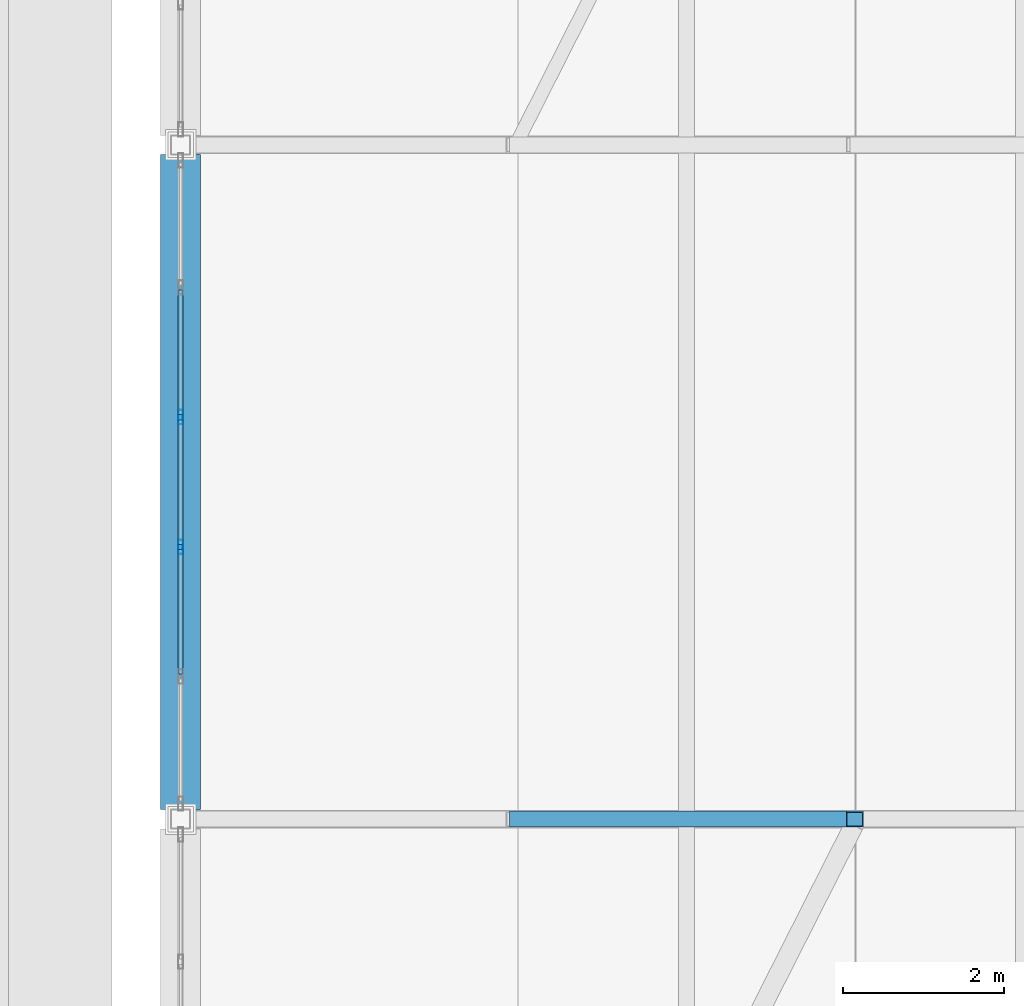
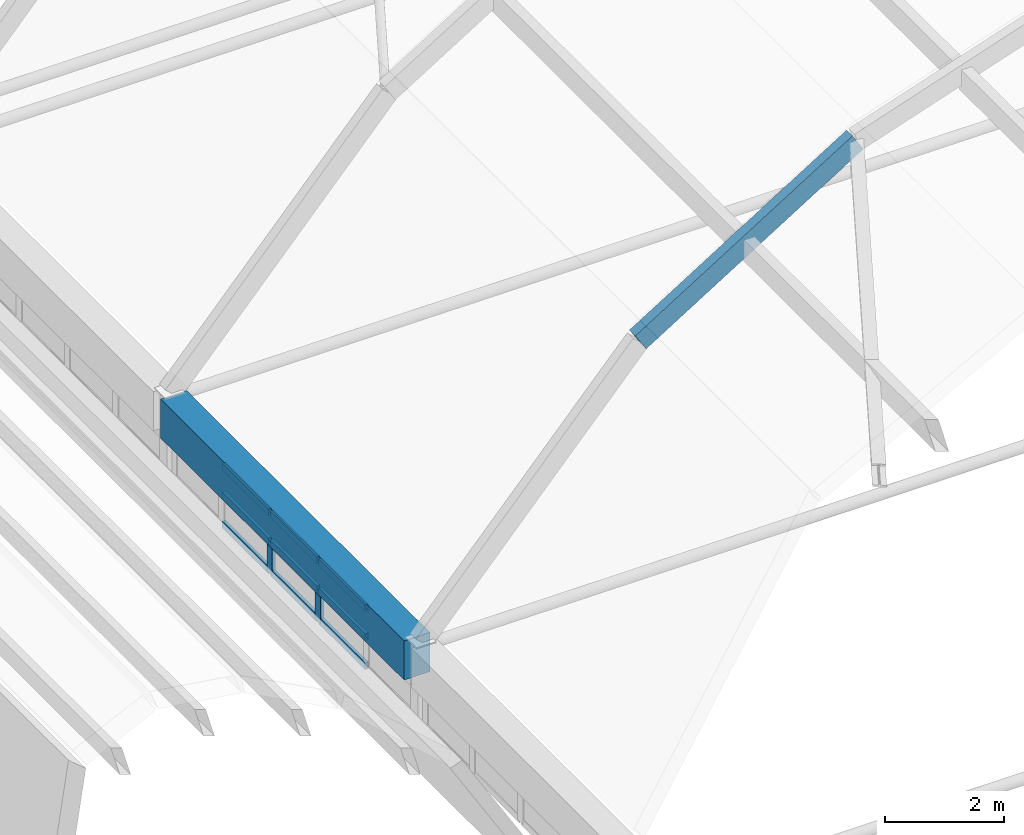
# One storey, part 27 of 114: 11 members, 2 beams, 1 element without a shape of its own.
"""IFC4 building model written with IfcOpenShell, lengths in metres."""

from ifc_helpers import new_model, si_unit, direction, frame, origin, origin_2d, place, context, subcontext, project, spatial, rectangle, hollow_rectangle, extrude, material, layer, layer_set, material_profile, profile_set, type_object, element, aggregate, save


model = new_model("IFC4")

# Units and contexts
model_context = context("Model", 3, precision=1e-05, world=origin(), true_north=direction((0.0, 1.0)))
body_context = subcontext(model_context, "Body", "Model", "MODEL_VIEW")
ifc_project = project(units=[si_unit("LENGTHUNIT", "METRE"), si_unit("AREAUNIT", "SQUARE_METRE"), si_unit("VOLUMEUNIT", "CUBIC_METRE"), si_unit("PLANEANGLEUNIT", "RADIAN"), si_unit("MASSUNIT", "GRAM", prefix="KILO")], contexts=[model_context])

# Site, building, storey
site_placement = place(None, origin())
site = spatial("IfcSite", under=ifc_project, at=site_placement, CompositionType="ELEMENT")
building_placement = place(site_placement, origin())
building = spatial("IfcBuilding", under=site, at=building_placement, Name="Xazarin Passage Department Store", CompositionType="ELEMENT")
storey_placement = place(building_placement, frame((0.0, 0.0, 14.39990234375)))
storey = spatial("IfcBuildingStorey", under=building, at=storey_placement, Name="L03", CompositionType="ELEMENT", Elevation=14.39990234375)

# Curtain wall, members
ifc_material_1 = material(Name="Bronze anodised aluminium", Category="aluminium")
ifc_layer = layer(ifc_material_1, 0.159912109375)
ifc_layer_set = layer_set([ifc_layer], Name="Bronze anodised aluminium")
curtain_wall_type = type_object("IfcCurtainWallType", Name="ARC-CW-ARC1", PredefinedType="NOTDEFINED", material=ifc_layer_set)
curtain_wall_placement = place(storey_placement, origin())
curtain_wall = element("IfcCurtainWall", 1, at=curtain_wall_placement, inside=storey, type_object=curtain_wall_type, Name="L03 V2S Galleria Clerestory Curtain Wall 5W", PredefinedType="NOTDEFINED")
ifc_material_profile_1 = material_profile(ifc_material_1, hollow_rectangle(XDim=0.06494140625, YDim=0.179931640625, WallThickness=0.00390625, at=origin_2d()), Name="ALU 65x180")
ifc_profile_set_1 = profile_set([ifc_material_profile_1], Name="Bronze anodised aluminium")
member_type_1 = type_object("IfcMemberType", Name="ARC-CWM-65x180", PredefinedType="MULLION", material=ifc_profile_set_1)
member_1_placement = place(storey_placement, frame((68.0, 36.991943359375, 0.0), z_axis=(0.0, 0.0, 1.0), x_axis=(-1.0, 0.0, 0.0)))
member_1 = element("IfcMember", 2, at=member_1_placement, type_object=member_type_1, Name="CW3 mullion 3", PredefinedType="MULLION", context=body_context, shape_type="SweptSolid", body=[
    extrude(hollow_rectangle(XDim=0.06494140625, YDim=0.179931640625, WallThickness=0.00390625, at=origin_2d()), origin(), (0.0, 0.0, 1.0), 1.251708984375),
])
member_2_placement = place(storey_placement, frame((68.0, 38.60791015625, 0.0), z_axis=(0.0, 0.0, 1.0), x_axis=(-1.0, 0.0, 0.0)))
member_2 = element("IfcMember", 3, at=member_2_placement, type_object=member_type_1, Name="CW3 mullion 4", PredefinedType="MULLION", context=body_context, shape_type="SweptSolid", body=[
    extrude(hollow_rectangle(XDim=0.06494140625, YDim=0.179931640625, WallThickness=0.00390625, at=origin_2d()), origin(), (0.0, 0.0, 1.0), 1.251708984375),
])
ifc_material_profile_2 = material_profile(ifc_material_1, hollow_rectangle(XDim=0.06494140625, YDim=0.139892578125, WallThickness=0.00390625, at=origin_2d()), Name="ALU 65x140")
ifc_profile_set_2 = profile_set([ifc_material_profile_2], Name="Bronze anodised aluminium")
member_type_2 = type_object("IfcMemberType", Name="ARC-CWT-65x140", PredefinedType="USERDEFINED", material=ifc_profile_set_2)
member_3_placement = place(storey_placement, frame((68.0, 35.408447265625, 0.03271484375), z_axis=(0.0, 1.0, 0.0), x_axis=(-1.0, 0.0, 0.0)))
member_3 = element("IfcMember", 4, at=member_3_placement, type_object=member_type_2, Name="CW3 transom 2.1", ObjectType="TRANSOM", PredefinedType="USERDEFINED", context=body_context, shape_type="SweptSolid", body=[
    extrude(hollow_rectangle(XDim=0.06494140625, YDim=0.139892578125, WallThickness=0.00390625, at=origin_2d()), origin(), (0.0, 0.0, 1.0), 1.551025390625),
])
member_4_placement = place(storey_placement, frame((68.0, 35.408447265625, 0.6259765625), z_axis=(0.0, 1.0, 0.0), x_axis=(-1.0, 0.0, 0.0)))
member_4 = element("IfcMember", 5, at=member_4_placement, type_object=member_type_2, Name="CW3 transom 2.2", ObjectType="TRANSOM", PredefinedType="USERDEFINED", context=body_context, shape_type="SweptSolid", body=[
    extrude(hollow_rectangle(XDim=0.06494140625, YDim=0.139892578125, WallThickness=0.00390625, at=origin_2d()), origin(), (0.0, 0.0, 1.0), 1.551025390625),
])
member_5_placement = place(storey_placement, frame((68.0, 35.408447265625, 1.21923828125), z_axis=(0.0, 1.0, 0.0), x_axis=(-1.0, 0.0, 0.0)))
member_5 = element("IfcMember", 6, at=member_5_placement, type_object=member_type_2, Name="CW3 transom 2.3", ObjectType="TRANSOM", PredefinedType="USERDEFINED", context=body_context, shape_type="SweptSolid", body=[
    extrude(hollow_rectangle(XDim=0.06494140625, YDim=0.139892578125, WallThickness=0.00390625, at=origin_2d()), origin(), (0.0, 0.0, 1.0), 1.551025390625),
])
member_6_placement = place(storey_placement, frame((68.0, 37.0244140625, 0.03271484375), z_axis=(0.0, 1.0, 0.0), x_axis=(-1.0, 0.0, 0.0)))
member_6 = element("IfcMember", 7, at=member_6_placement, type_object=member_type_2, Name="CW3 transom 3.1", ObjectType="TRANSOM", PredefinedType="USERDEFINED", context=body_context, shape_type="SweptSolid", body=[
    extrude(hollow_rectangle(XDim=0.06494140625, YDim=0.139892578125, WallThickness=0.00390625, at=origin_2d()), origin(), (0.0, 0.0, 1.0), 1.551025390625),
])
member_7_placement = place(storey_placement, frame((68.0, 37.0244140625, 0.6259765625), z_axis=(0.0, 1.0, 0.0), x_axis=(-1.0, 0.0, 0.0)))
member_7 = element("IfcMember", 8, at=member_7_placement, type_object=member_type_2, Name="CW3 transom 3.2", ObjectType="TRANSOM", PredefinedType="USERDEFINED", context=body_context, shape_type="SweptSolid", body=[
    extrude(hollow_rectangle(XDim=0.06494140625, YDim=0.139892578125, WallThickness=0.00390625, at=origin_2d()), origin(), (0.0, 0.0, 1.0), 1.551025390625),
])
member_8_placement = place(storey_placement, frame((68.0, 37.0244140625, 1.21923828125), z_axis=(0.0, 1.0, 0.0), x_axis=(-1.0, 0.0, 0.0)))
member_8 = element("IfcMember", 9, at=member_8_placement, type_object=member_type_2, Name="CW3 transom 3.3", ObjectType="TRANSOM", PredefinedType="USERDEFINED", context=body_context, shape_type="SweptSolid", body=[
    extrude(hollow_rectangle(XDim=0.06494140625, YDim=0.139892578125, WallThickness=0.00390625, at=origin_2d()), origin(), (0.0, 0.0, 1.0), 1.551025390625),
])
member_9_placement = place(storey_placement, frame((68.0, 38.640380859375, 0.03271484375), z_axis=(0.0, 1.0, 0.0), x_axis=(-1.0, 0.0, 0.0)))
member_9 = element("IfcMember", 10, at=member_9_placement, type_object=member_type_2, Name="CW3 transom 4.1", ObjectType="TRANSOM", PredefinedType="USERDEFINED", context=body_context, shape_type="SweptSolid", body=[
    extrude(hollow_rectangle(XDim=0.06494140625, YDim=0.139892578125, WallThickness=0.00390625, at=origin_2d()), origin(), (0.0, 0.0, 1.0), 1.551025390625),
])
member_10_placement = place(storey_placement, frame((68.0, 38.640380859375, 0.6259765625), z_axis=(0.0, 1.0, 0.0), x_axis=(-1.0, 0.0, 0.0)))
member_10 = element("IfcMember", 11, at=member_10_placement, type_object=member_type_2, Name="CW3 transom 4.2", ObjectType="TRANSOM", PredefinedType="USERDEFINED", context=body_context, shape_type="SweptSolid", body=[
    extrude(hollow_rectangle(XDim=0.06494140625, YDim=0.139892578125, WallThickness=0.00390625, at=origin_2d()), origin(), (0.0, 0.0, 1.0), 1.551025390625),
])
member_11_placement = place(storey_placement, frame((68.0, 38.640380859375, 1.21923828125), z_axis=(0.0, 1.0, 0.0), x_axis=(-1.0, 0.0, 0.0)))
member_11 = element("IfcMember", 12, at=member_11_placement, type_object=member_type_2, Name="CW3 transom 4.3", ObjectType="TRANSOM", PredefinedType="USERDEFINED", context=body_context, shape_type="SweptSolid", body=[
    extrude(hollow_rectangle(XDim=0.06494140625, YDim=0.139892578125, WallThickness=0.00390625, at=origin_2d()), origin(), (0.0, 0.0, 1.0), 1.551025390625),
])
aggregate(curtain_wall, [member_1, member_2, member_3, member_4, member_5, member_6, member_7, member_8, member_9, member_10, member_11])

# Beams
ifc_material_2 = material(Name="Steel S355", Category="steel")
ifc_material_profile_3 = material_profile(ifc_material_2, hollow_rectangle(XDim=0.199951171875, YDim=0.39990234375, WallThickness=0.01611328125, at=origin_2d()), Name="RHS 400x200x16")
ifc_profile_set_3 = profile_set([ifc_material_profile_3], Name="Steel S355")
beam_type_1 = type_object("IfcBeamType", Name="STR-BM-AR400", PredefinedType="BEAM", material=ifc_profile_set_3)
beam_1_placement = place(storey_placement, frame((72.199951171875, 33.60009765625, 6.33203125), z_axis=(0.848571440894, 0.0, 0.529080815848), x_axis=(0.0, 1.0, 0.0)))
element("IfcBeam", 13, at=beam_1_placement, inside=storey, type_object=beam_type_1, Name="V2S Primary Arch Rib 5.2", PredefinedType="BEAM", context=body_context, shape_type="SweptSolid", body=[
    extrude(hollow_rectangle(XDim=0.199951171875, YDim=0.39990234375, WallThickness=0.01611328125, at=origin_2d()), origin(), (0.0, 0.0, 1.0), 4.949462890625),
])
ifc_material_3 = material(Name="Concrete C40/50", Category="concrete")
ifc_material_profile_4 = material_profile(ifc_material_3, rectangle(XDim=0.5, YDim=0.800048828125, at=origin_2d()), Name="RC 500x800")
ifc_profile_set_4 = profile_set([ifc_material_profile_4], Name="Concrete C40/50")
beam_type_2 = type_object("IfcBeamType", Name="STR-BM-RG500x800", PredefinedType="BEAM", material=ifc_profile_set_4)
beam_2_placement = place(storey_placement, frame((68.0, 33.719970703125, 1.251708984375), z_axis=(0.0, 1.0, 0.0), x_axis=(-1.0, 0.0, 0.0)))
element("IfcBeam", 14, at=beam_2_placement, inside=storey, type_object=beam_type_2, Name="V2S Springing Ring Girder W-5", PredefinedType="BEAM", context=body_context, shape_type="SweptSolid", body=[
    extrude(rectangle(XDim=0.5, YDim=0.800048828125, at=origin_2d()), origin(), (0.0, 0.0, 1.0), 8.159912109375),
])

save(model, "model.ifc")
